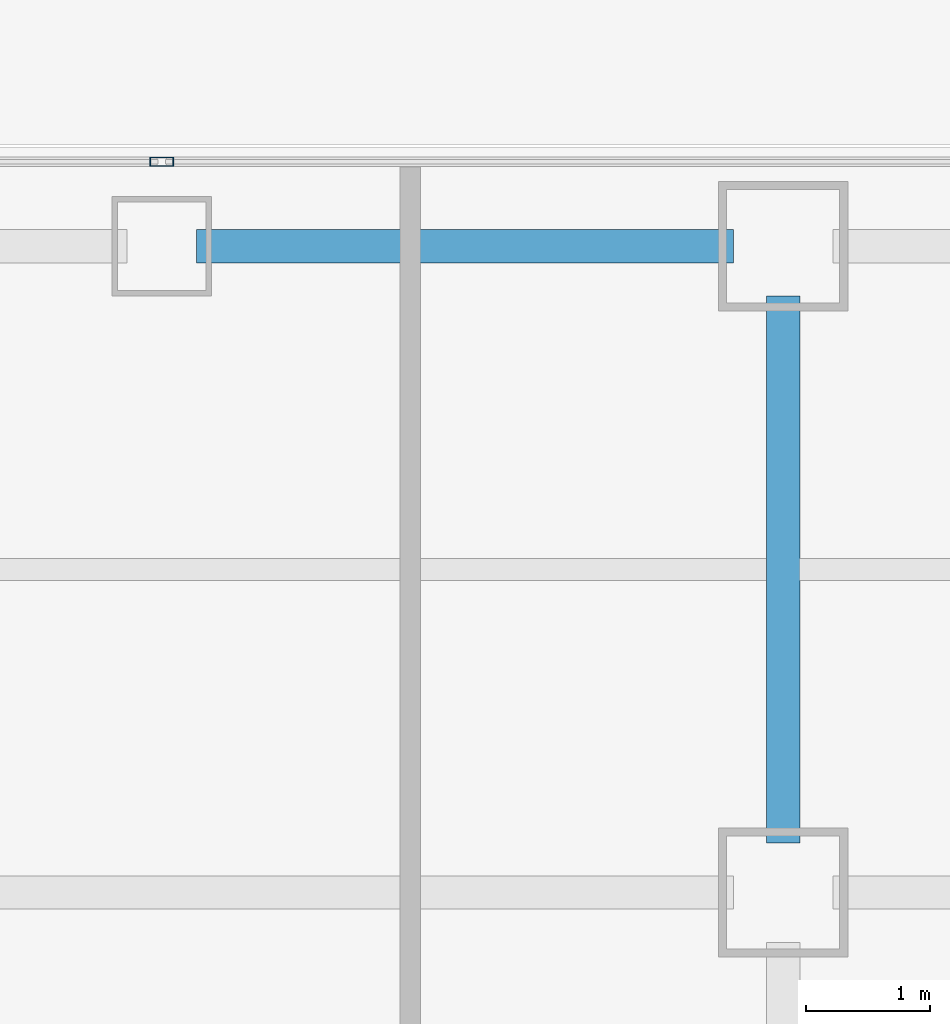
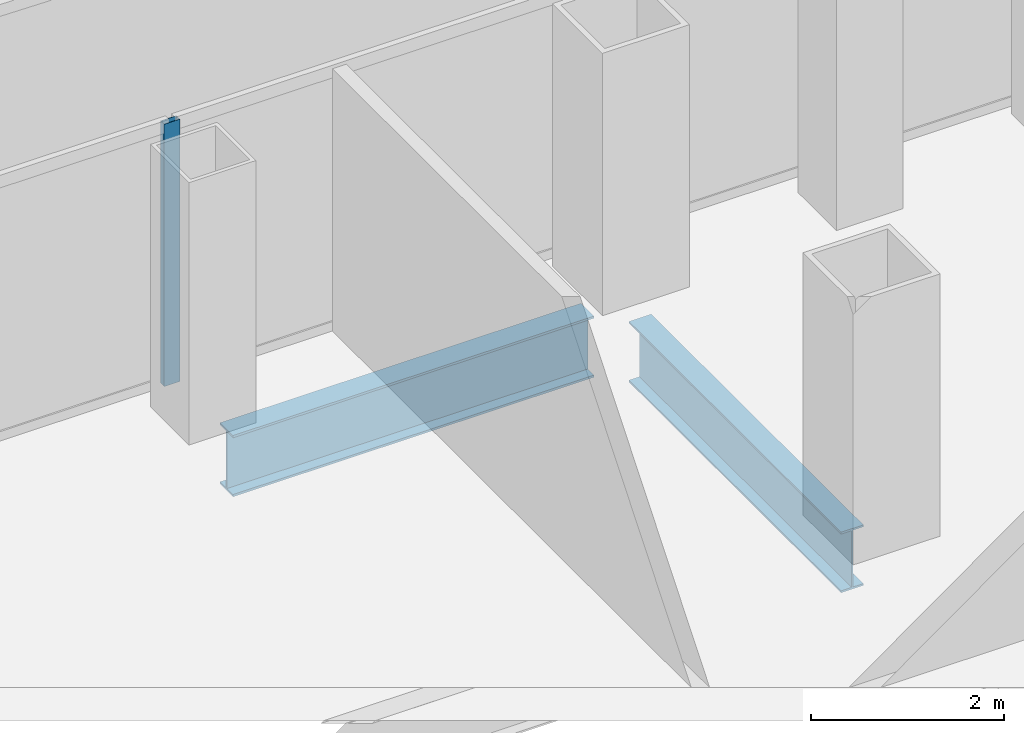
# One storey, part 13 of 21: 2 beams, 1 member, 1 element without a shape of its own.
"""IFC4 building model written with IfcOpenShell, lengths in metres."""

from ifc_helpers import new_model, si_unit, direction, frame, origin, origin_2d, place, context, subcontext, project, spatial, hollow_rectangle, i_section, extrude, source, transform, mapped, material, layer, layer_set, material_profile, profile_set, type_object, element, aggregate, save


model = new_model("IFC4")

# Units and contexts
model_context = context("Model", 3, precision=1e-05, world=origin(), true_north=direction((0.0, 1.0)))
body_context = subcontext(model_context, "Body", "Model", "MODEL_VIEW")
ifc_project = project(units=[si_unit("LENGTHUNIT", "METRE"), si_unit("AREAUNIT", "SQUARE_METRE"), si_unit("VOLUMEUNIT", "CUBIC_METRE"), si_unit("PLANEANGLEUNIT", "RADIAN"), si_unit("MASSUNIT", "GRAM", prefix="KILO")], contexts=[model_context])

# Site, building, storey
site_placement = place(None, origin())
site = spatial("IfcSite", under=ifc_project, at=site_placement, CompositionType="ELEMENT")
building_placement = place(site_placement, origin())
building = spatial("IfcBuilding", under=site, at=building_placement, Name="Kolveth Station Tower", CompositionType="ELEMENT")
storey_placement = place(building_placement, frame((0.0, 0.0, 47.699951171875)))
storey = spatial("IfcBuildingStorey", under=building, at=storey_placement, Name="L12", CompositionType="ELEMENT", Elevation=47.699951171875)

# Beams
ifc_material_1 = material(Name="Steel S355", Category="steel")
ifc_material_profile_1 = material_profile(ifc_material_1, i_section(OverallWidth=0.26904296875, OverallDepth=0.77490234375, WebThickness=0.01708984375, FlangeThickness=0.0283203125, at=origin_2d()), Name="W760x220")
ifc_profile_set_1 = profile_set([ifc_material_profile_1], Name="Steel S355")
beam_type_1 = type_object("IfcBeamType", Name="Beam_SP1", PredefinedType="SPANDREL", material=ifc_profile_set_1)
shared_shape_1 = source(origin(), body_context, "Body", "SweptSolid", [
    extrude(i_section(OverallWidth=0.26904296875, OverallDepth=0.77490234375, WebThickness=0.01708984375, FlangeThickness=0.0283203125, at=origin_2d()), origin(), (0.0, 0.0, 1.0), 4.320068359375),
])
beam_1_placement = place(storey_placement, frame((23.780029296875, 39.699951171875, -0.66748046875), z_axis=(1.0, 0.0, 0.0), x_axis=(0.0, 1.0, 0.0)))
element("IfcBeam", 1, at=beam_1_placement, inside=storey, type_object=beam_type_1, Name="L12 Perimeter Spandrel BM-L12-PN-6", PredefinedType="SPANDREL", context=body_context, shape_type="MappedRepresentation", body=[
    mapped(shared_shape_1, transform((0.0, 0.0, 0.0), x_axis=(1.0, 0.0, 0.0), y_axis=(0.0, 1.0, 0.0), z_axis=(0.0, 0.0, 1.0), scale=1.0)),
])
ifc_material_profile_2 = material_profile(ifc_material_1, i_section(OverallWidth=0.26708984375, OverallDepth=0.76611328125, WebThickness=0.014892578125, FlangeThickness=0.023681640625, at=origin_2d()), Name="W760x185")
ifc_profile_set_2 = profile_set([ifc_material_profile_2], Name="Steel S355")
beam_type_2 = type_object("IfcBeamType", Name="Beam_B3", PredefinedType="BEAM", material=ifc_profile_set_2)
shared_shape_2 = source(origin(), body_context, "Body", "SweptSolid", [
    extrude(i_section(OverallWidth=0.26708984375, OverallDepth=0.76611328125, WebThickness=0.014892578125, FlangeThickness=0.023681640625, at=origin_2d()), origin(), (0.0, 0.0, 1.0), 4.400146484375),
])
beam_2_placement = place(storey_placement, frame((28.5, 34.89990234375, -0.662841796875), z_axis=(0.0, 1.0, 0.0), x_axis=(-1.0, 0.0, 0.0)))
element("IfcBeam", 2, at=beam_2_placement, inside=storey, type_object=beam_type_2, Name="L12 Primary Girder BM-L12-GX285-7", PredefinedType="BEAM", context=body_context, shape_type="MappedRepresentation", body=[
    mapped(shared_shape_2, transform((0.0, 0.0, 0.0), x_axis=(1.0, 0.0, 0.0), y_axis=(0.0, 1.0, 0.0), z_axis=(0.0, 0.0, 1.0), scale=1.0)),
])

# Curtain wall, member
ifc_material_2 = material(Name="Aluminium 6063-T6 and low-E dark glass", Category="aluminium")
ifc_layer = layer(ifc_material_2, 0.179931640625)
ifc_layer_set = layer_set([ifc_layer], Name="Aluminium 6063-T6 and low-E dark glass")
curtain_wall_type = type_object("IfcCurtainWallType", Name="CurtainWall_CW-Z1", PredefinedType="NOTDEFINED", material=ifc_layer_set)
curtain_wall_placement = place(storey_placement, origin())
curtain_wall = element("IfcCurtainWall", 3, at=curtain_wall_placement, inside=storey, type_object=curtain_wall_type, Name="L12 Inner Thermal Curtain Wall 6", PredefinedType="NOTDEFINED")
ifc_material_3 = material(Name="Black anodized aluminium 6063-T6", Category="aluminium")
ifc_material_profile_3 = material_profile(ifc_material_3, hollow_rectangle(XDim=0.074951171875, YDim=0.18994140625, WallThickness=0.0048828125, at=origin_2d()), Name="ALU-75x190x5")
ifc_profile_set_3 = profile_set([ifc_material_profile_3], Name="Black anodized aluminium 6063-T6")
member_type = type_object("IfcMemberType", Name="Mullion_ML1", PredefinedType="MULLION", material=ifc_profile_set_3)
shared_shape_3 = source(origin(), body_context, "Body", "SweptSolid", [
    extrude(hollow_rectangle(XDim=0.074951171875, YDim=0.18994140625, WallThickness=0.0048828125, at=origin_2d()), origin(), (0.0, 0.0, 1.0), 3.320068359375),
])
member_placement = place(storey_placement, frame((23.5, 40.3798828125, 0.0), z_axis=(0.0, 0.0, 1.0), x_axis=(0.0, -1.0, 0.0)))
member = element("IfcMember", 4, at=member_placement, type_object=member_type, Name="CW-Z1 mullion 2", PredefinedType="MULLION", context=body_context, shape_type="MappedRepresentation", body=[
    mapped(shared_shape_3, transform((0.0, 0.0, 0.0), x_axis=(1.0, 0.0, 0.0), y_axis=(0.0, 1.0, 0.0), z_axis=(0.0, 0.0, 1.0), scale=1.0)),
])
aggregate(curtain_wall, [member])

save(model, "model.ifc")
